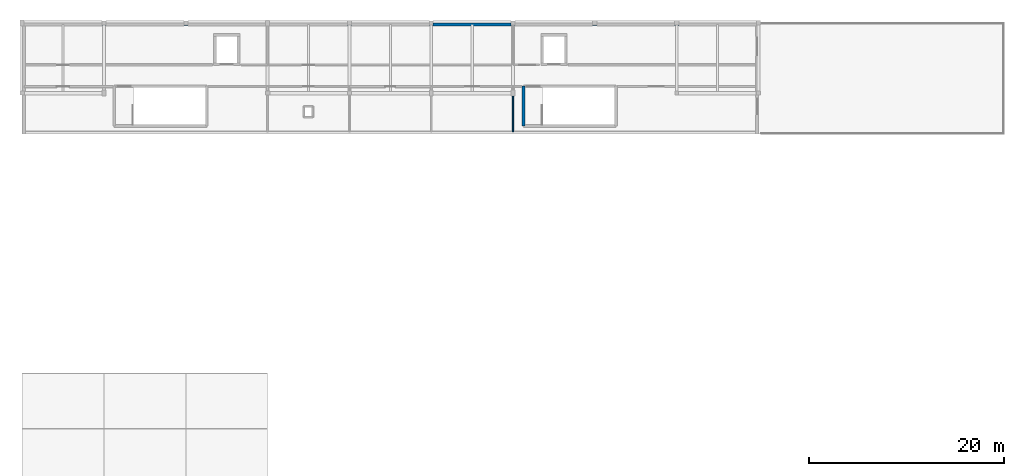
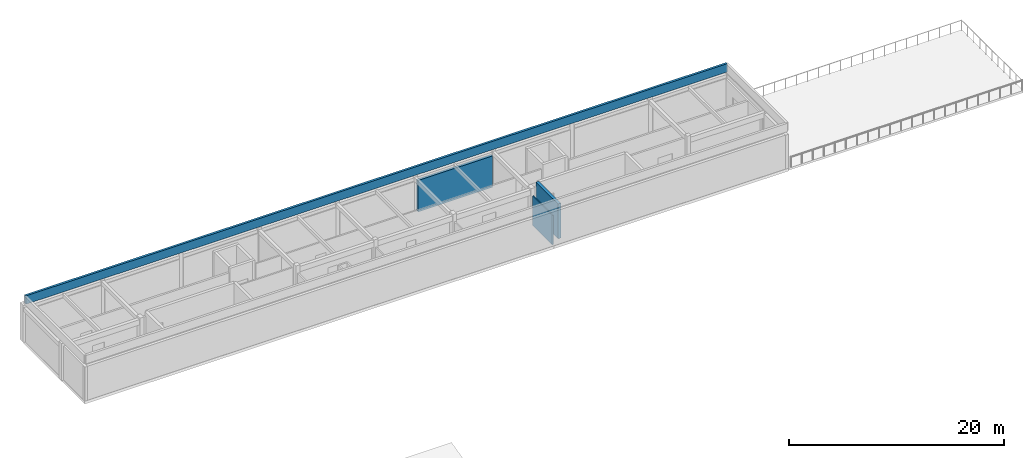
# One storey, part 4 of 6: 4 walls.
"""IFC4 building model written with IfcOpenShell, lengths in metres."""

import ifcopenshell
import ifcopenshell.guid

model = None  # the IFC model being written
_history = None  # IfcOwnerHistory: only IFC2X3 demands one
_inside = {}  # id of a spatial element -> (the spatial element, [elements in it])
_under = {}  # id of a project, library or spatial element -> (it, [spatial elements below it])
_declared = {}  # id of a project -> (the project, [libraries it declares])
_typed = {}  # id of a type object -> (the type object, [elements of that type])
_made_of = {}  # id of a material, layer set ... -> (it, [elements and type objects made of it])


def new_model(schema):
    """Start an empty IFC model of exactly this schema.

    Asked for "IFC4X3", IfcOpenShell would pick the latest addendum, in which some entities
    have other attributes; the version numbers below select the first issue.
    IFC2X3 requires an IfcOwnerHistory on every rooted entity: one is made here for all.
    """
    global model, _history
    if schema == "IFC4X3":
        model = ifcopenshell.file(schema_version=(4, 3, 0, 0))
    else:
        model = ifcopenshell.file(schema=schema)
    _inside.clear()
    _under.clear()
    _declared.clear()
    _typed.clear()
    _made_of.clear()
    _history = None
    if model.schema == "IFC2X3":
        org = make("IfcOrganization", Name="unknown")
        user = make(
            "IfcPersonAndOrganization",
            ThePerson=make("IfcPerson", FamilyName="unknown"),
            TheOrganization=org,
        )
        app = make(
            "IfcApplication",
            ApplicationDeveloper=org,
            Version="unknown",
            ApplicationFullName="unknown",
            ApplicationIdentifier="unknown",
        )
        _history = make(
            "IfcOwnerHistory",
            OwningUser=user,
            OwningApplication=app,
            ChangeAction="ADDED",
            CreationDate=0,
        )
    return model


def make(cls, **values):
    """One entity of the class cls with the attributes given. An attribute that is None is left unset."""
    return model.create_entity(
        cls, **{name: value for name, value in values.items() if value is not None}
    )


def rooted(cls, **values):
    """An entity with a GlobalId (a new one), such as an element, a storey or a relation."""
    return make(cls, GlobalId=ifcopenshell.guid.new(), OwnerHistory=_history, **values)


def si_unit(unit_type, name, prefix=None):
    """IfcSIUnit, for example si_unit("LENGTHUNIT", "METRE", prefix="MILLI")."""
    return make("IfcSIUnit", UnitType=unit_type, Prefix=prefix, Name=name)


def assignment(units):
    """IfcUnitAssignment: the units of a project."""
    return None if units is None else make("IfcUnitAssignment", Units=units)


def point(xyz):
    """IfcCartesianPoint."""
    return None if xyz is None else make("IfcCartesianPoint", Coordinates=xyz)


def direction(xyz):
    """IfcDirection."""
    return None if xyz is None else make("IfcDirection", DirectionRatios=xyz)


def frame(location, z_axis=None, x_axis=None):
    """IfcAxis2Placement3D, a coordinate frame: its origin and axes. An axis left out is left unset."""
    return make(
        "IfcAxis2Placement3D",
        Location=point(location),
        Axis=direction(z_axis),
        RefDirection=direction(x_axis),
    )


def frame_2d(location, x_axis=None):
    """IfcAxis2Placement2D, a coordinate frame in the plane: its origin and x axis."""
    return make(
        "IfcAxis2Placement2D", Location=point(location), RefDirection=direction(x_axis)
    )


def origin():
    """The frame at (0, 0, 0) with its axes left unset."""
    return frame((0.0, 0.0, 0.0))


def place(relative_to, where):
    """IfcLocalPlacement: puts the frame where relative to a parent placement (None: the world)."""
    return make(
        "IfcLocalPlacement", PlacementRelTo=relative_to, RelativePlacement=where
    )


def context(
    kind, dimensions, precision=None, world=None, true_north=None, identifier=None
):
    """IfcGeometricRepresentationContext, for example the 3D "Model" context."""
    return make(
        "IfcGeometricRepresentationContext",
        ContextIdentifier=identifier,
        ContextType=kind,
        CoordinateSpaceDimension=dimensions,
        Precision=precision,
        WorldCoordinateSystem=world,
        TrueNorth=true_north,
    )


def subcontext(parent, identifier, kind, view, scale=None):
    """IfcGeometricRepresentationSubContext, for example "Body" below "Model"."""
    return make(
        "IfcGeometricRepresentationSubContext",
        ContextIdentifier=identifier,
        ContextType=kind,
        ParentContext=parent,
        TargetScale=scale,
        TargetView=view,
    )


def project(units=None, contexts=None):
    """IfcProject with its units and contexts."""
    return rooted(
        "IfcProject",
        Name="project",
        RepresentationContexts=contexts,
        UnitsInContext=assignment(units),
    )


def spatial(cls, under=None, at=None, **own):
    """A site, building, storey or space (cls), placed at a placement, below another one or the project."""
    s = rooted(cls, ObjectPlacement=at, **own)
    if under is not None:
        _under.setdefault(under.id(), (under, []))[1].append(s)
    return s


def profile(cls, at=None, kind="AREA", **sizes):
    """A parametric profile (cls). Its sizes go by their IFC names, for example OverallWidth=200.0."""
    return make(cls, ProfileType=kind, Position=at, **sizes)


def rectangle(**sizes):
    """IfcRectangleProfileDef."""
    return profile("IfcRectangleProfileDef", **sizes)


def extrude(swept, where, along, depth):
    """IfcExtrudedAreaSolid: the profile swept, set in the frame where, extruded along a direction by depth."""
    return make(
        "IfcExtrudedAreaSolid",
        SweptArea=swept,
        Position=where,
        ExtrudedDirection=direction(along),
        Depth=depth,
    )


def shape(context_of_items, identifier, shape_type, items):
    """IfcShapeRepresentation: the items that make up one representation, for example the "Body"."""
    return make(
        "IfcShapeRepresentation",
        ContextOfItems=context_of_items,
        RepresentationIdentifier=identifier,
        RepresentationType=shape_type,
        Items=items,
    )


def material(Name=None, Category=None):
    """IfcMaterial."""
    return make("IfcMaterial", Name=Name, Category=Category)


def layer(
    of_material, thickness, ventilated=None, Name=None, Category=None, Priority=None
):
    """IfcMaterialLayer: one layer of a wall or slab, of a material (None: an air gap)."""
    return make(
        "IfcMaterialLayer",
        Material=of_material,
        LayerThickness=thickness,
        IsVentilated=ventilated,
        Name=Name,
        Category=Category,
        Priority=Priority,
    )


def layer_set(layers, Name=None):
    """IfcMaterialLayerSet."""
    return make("IfcMaterialLayerSet", MaterialLayers=layers, LayerSetName=Name)


def made_of(thing, what):
    """Note that an element or type object is made of a material, layer set ...; save() writes the relation."""
    if what is not None:
        _made_of.setdefault(what.id(), (what, []))[1].append(thing)
    return thing


def type_object(cls, material=None, **own):
    """A type object (cls), such as IfcWallType, which elements share."""
    return made_of(rooted(cls, **own), material)


def element(
    cls,
    number,
    at=None,
    inside=None,
    cuts=None,
    type_object=None,
    material=None,
    context=None,
    identifier="Body",
    shape_type=None,
    held_by="IfcProductDefinitionShape",
    body=None,
    shapes=None,
    **own,
):
    """One element of the class cls, such as IfcWall. Its Tag is "e" and its number.

    at: its placement. inside: the storey or other place that contains it. cuts: it is an
    opening in that element (IfcRelVoidsElement). A single representation is given by context,
    identifier, shape_type and body (its items); several are given by shapes. held_by: the class
    of the entity that holds the representations. save() writes the other relations.
    """
    e = rooted(cls, Tag="e%d" % number, ObjectPlacement=at, **own)
    if body is not None:
        shapes = [shape(context, identifier, shape_type, body)]
    if shapes is not None:
        e.Representation = make(held_by, Representations=shapes)
    if inside is not None:
        _inside.setdefault(inside.id(), (inside, []))[1].append(e)
    if cuts is not None:
        rooted(
            "IfcRelVoidsElement", RelatingBuildingElement=cuts, RelatedOpeningElement=e
        )
    if type_object is not None:
        _typed.setdefault(type_object.id(), (type_object, []))[1].append(e)
    return made_of(e, material)


def aggregate(whole, parts):
    """IfcRelAggregates: a whole, such as a stair, and the parts it consists of."""
    return rooted("IfcRelAggregates", RelatingObject=whole, RelatedObjects=parts)


def save(model, path):
    """Write the relations noted so far, then the file.

    IfcRelAggregates (storeys below a building ...), IfcRelContainedInSpatialStructure (elements
    in a storey), IfcRelDefinesByType, IfcRelAssociatesMaterial and IfcRelDeclares: one each for
    every whole, place, type object, material and project.
    """
    for whole, parts in _under.values():
        aggregate(whole, parts)
    for where, things in _inside.values():
        rooted(
            "IfcRelContainedInSpatialStructure",
            RelatedElements=things,
            RelatingStructure=where,
        )
    for kind, things in _typed.values():
        rooted("IfcRelDefinesByType", RelatedObjects=things, RelatingType=kind)
    for what, things in _made_of.values():
        rooted("IfcRelAssociatesMaterial", RelatedObjects=things, RelatingMaterial=what)
    for by, libraries in _declared.values():
        rooted("IfcRelDeclares", RelatingContext=by, RelatedDefinitions=libraries)
    model.write(path)


model = new_model("IFC4")

# Units and contexts
model_context = context("Model", 3, precision=1e-05, world=origin(), true_north=direction((0.0, 1.0)))
body_context = subcontext(model_context, "Body", "Model", "MODEL_VIEW")
ifc_project = project(units=[si_unit("LENGTHUNIT", "METRE"), si_unit("AREAUNIT", "SQUARE_METRE"), si_unit("VOLUMEUNIT", "CUBIC_METRE"), si_unit("PLANEANGLEUNIT", "RADIAN"), si_unit("MASSUNIT", "GRAM", prefix="KILO")], contexts=[model_context])

# Site, building, storey
site_placement = place(None, origin())
site = spatial("IfcSite", under=ifc_project, at=site_placement, CompositionType="ELEMENT")
building_placement = place(site_placement, origin())
building = spatial("IfcBuilding", under=site, at=building_placement, Name="Malvenik Polytechnic", CompositionType="ELEMENT")
storey_placement = place(building_placement, frame((0.0, 0.0, 26.10009765625)))
storey = spatial("IfcBuildingStorey", under=building, at=storey_placement, Name="L06", CompositionType="ELEMENT", Elevation=26.10009765625)

# Walls
ifc_material_1 = material(Name="Concrete C35/45", Category="concrete")
ifc_layer_1 = layer(ifc_material_1, 0.300048828125)
ifc_layer_set_1 = layer_set([ifc_layer_1], Name="Concrete C35/45")
wall_type_1 = type_object("IfcWallType", Name="ARC-CW-S300", PredefinedType="SHEAR", material=ifc_layer_set_1)
wall_1_placement = place(storey_placement, frame((51.449951171875, 119.0, 0.0), z_axis=(0.0, 0.0, 1.0), x_axis=(0.0, 1.0, 0.0)))
element("IfcWall", 1, at=wall_1_placement, inside=storey, type_object=wall_type_1, Name="Stair Core Shear Wall ST-02 L06 NEAR", PredefinedType="SHEAR", context=body_context, shape_type="SweptSolid", body=[
    extrude(rectangle(XDim=4.10009765625, YDim=0.300048828125, at=frame_2d((2.050048828125, 0.0))), origin(), (0.0, 0.0, 1.0), 3.9599609375),
])
ifc_material_2 = material(Name="Brick masonry M15", Category="masonry")
ifc_layer_2 = layer(ifc_material_2, 0.2900390625)
ifc_layer_set_2 = layer_set([ifc_layer_2], Name="Brick masonry M15")
wall_type_2 = type_object("IfcWallType", Name="ARC-EW-290", PredefinedType="SOLIDWALL", material=ifc_layer_set_2)
wall_2_placement = place(storey_placement, frame((42.197998046875, 129.429931640625, 0.0), z_axis=(0.0, 0.0, 1.0), x_axis=(1.0, 0.0, 0.0)))
element("IfcWall", 2, at=wall_2_placement, inside=storey, type_object=wall_type_2, Name="External Facade Wall EW-04 L06 #499", PredefinedType="SOLIDWALL", context=body_context, shape_type="SweptSolid", body=[
    extrude(rectangle(XDim=8.00390625, YDim=0.2900390625, at=frame_2d((4.001953125, 0.0))), origin(), (0.0, 0.0, 1.0), 3.56982421875),
])
ifc_material_3 = material(Name="Metal-stud gypsum board partition 125mm", Category="gypsum")
ifc_layer_3 = layer(ifc_material_3, 0.125)
ifc_layer_set_3 = layer_set([ifc_layer_3], Name="Metal-stud gypsum board partition 125mm")
wall_type_3 = type_object("IfcWallType", Name="ARC-PW-125", PredefinedType="PARTITIONING", material=ifc_layer_set_3)
wall_3_placement = place(storey_placement, frame((50.39990234375, 118.419921875, 0.0), z_axis=(0.0, 0.0, 1.0), x_axis=(0.0, 1.0, 0.0)))
element("IfcWall", 3, at=wall_3_placement, inside=storey, type_object=wall_type_3, Name="Interior Partition PW-03I L06 #436", PredefinedType="PARTITIONING", context=body_context, shape_type="SweptSolid", body=[
    extrude(rectangle(XDim=3.66015625, YDim=0.125, at=frame_2d((1.830078125, 0.0))), origin(), (0.0, 0.0, 1.0), 3.344970703125),
])
ifc_material_4 = material(Name="Precast concrete C40/50", Category="concrete")
ifc_layer_4 = layer(ifc_material_4, 0.239990234375)
ifc_layer_set_4 = layer_set([ifc_layer_4], Name="Precast concrete C40/50")
wall_type_4 = type_object("IfcWallType", Name="ARC-PW-240", PredefinedType="PARAPET", material=ifc_layer_set_4)
wall_4_placement = place(storey_placement, frame((0.1201171875, 129.47998046875, 4.199951171875), z_axis=(0.0, 0.0, 1.0), x_axis=(1.0, 0.0, 0.0)))
element("IfcWall", 4, at=wall_4_placement, inside=storey, type_object=wall_type_4, Name="Roof Parapet Wall PW-01 #1", PredefinedType="PARAPET", context=body_context, shape_type="SweptSolid", body=[
    extrude(rectangle(XDim=75.35986328125, YDim=0.239990234375, at=frame_2d((37.679931640625, 0.0))), origin(), (0.0, 0.0, 1.0), 0.949951171875),
])

save(model, "model.ifc")
